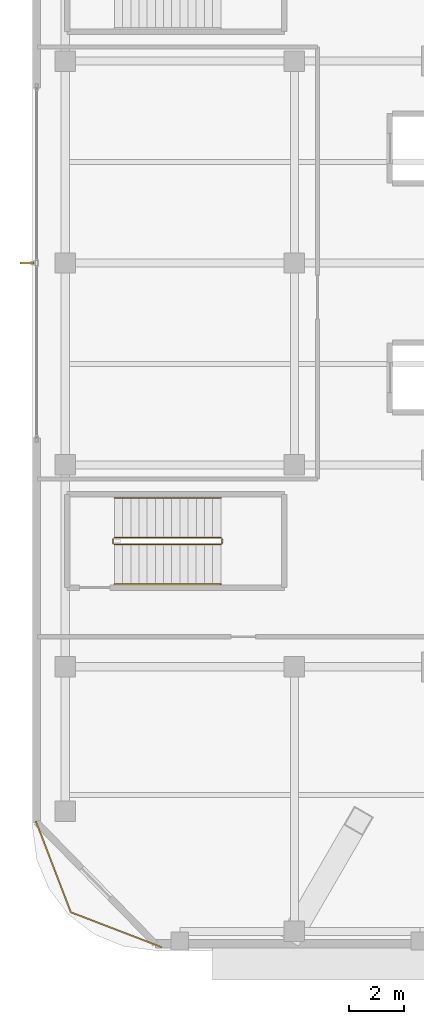
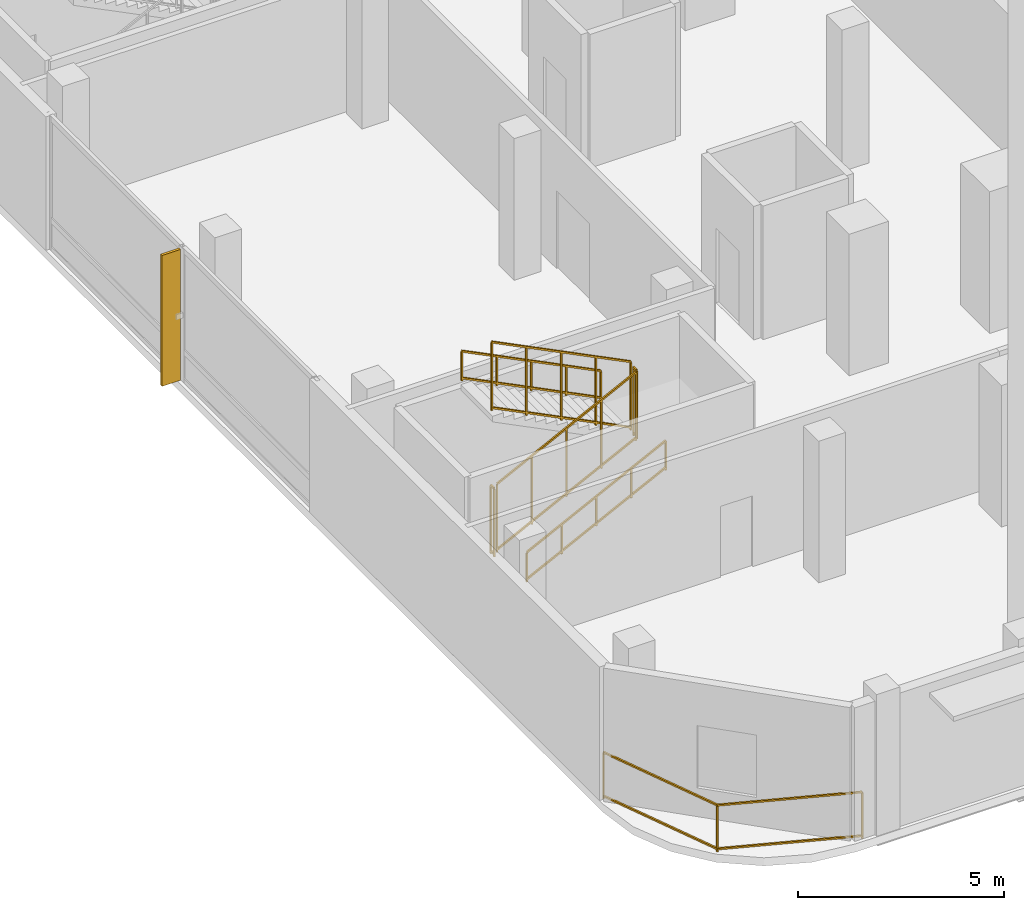
# One storey, part 13 of 19: 7 railings, 1 shading device.
"""IFC4 building model written with IfcOpenShell, lengths in metres."""

from ifc_helpers import new_model, si_unit, direction, frame, origin, origin_2d, place, context, subcontext, project, spatial, rectangle, extrude, material, layer, layer_set, type_object, element, save


model = new_model("IFC4")

# Units and contexts
model_context = context("Model", 3, precision=1e-05, world=origin(), true_north=direction((0.0, 1.0)))
body_context = subcontext(model_context, "Body", "Model", "MODEL_VIEW")
ifc_project = project(units=[si_unit("LENGTHUNIT", "METRE"), si_unit("AREAUNIT", "SQUARE_METRE"), si_unit("VOLUMEUNIT", "CUBIC_METRE"), si_unit("PLANEANGLEUNIT", "RADIAN"), si_unit("MASSUNIT", "GRAM", prefix="KILO")], contexts=[model_context])

# Site, building, storey
site_placement = place(None, origin())
site = spatial("IfcSite", under=ifc_project, at=site_placement, CompositionType="ELEMENT")
building_placement = place(site_placement, origin())
building = spatial("IfcBuilding", under=site, at=building_placement, Name="Khorvyn Point Tower", CompositionType="ELEMENT")
storey_placement = place(building_placement, frame((0.0, 0.0, 4.800048828125)))
storey = spatial("IfcBuildingStorey", under=building, at=storey_placement, Name="L02", CompositionType="ELEMENT", Elevation=4.800048828125)

# Shading device
ifc_material_1 = material(Name="Bronze anodised aluminium 6063-T6", Category="aluminium")
ifc_layer = layer(ifc_material_1, 0.074951171875)
ifc_layer_set = layer_set([ifc_layer], Name="Bronze Anodised Aluminium FIN 520x75")
shading_device_type = type_object("IfcShadingDeviceType", Name="Bronze Anodised Aluminium FIN 520x75", PredefinedType="USERDEFINED", material=ifc_layer_set)
shading_device_placement = place(storey_placement, frame((-33.800048828125, 0.0, 0.0400390625), z_axis=(0.0, 0.0, 1.0), x_axis=(-1.0, 0.0, 0.0)))
element("IfcShadingDevice", 1, at=shading_device_placement, inside=storey, type_object=shading_device_type, Name="L02 Anodised FIN 01", ObjectType="FIN", PredefinedType="USERDEFINED", context=body_context, shape_type="SweptSolid", body=[
    extrude(rectangle(XDim=0.52001953125, YDim=0.074951171875, at=origin_2d()), origin(), (0.0, 0.0, 1.0), 3.8798828125),
])

# Railings
ifc_material_2 = material(Name="Anodised aluminium 6063-T6 and laminated safety glass", Category="aluminium")
railing_type_1 = type_object("IfcRailingType", Name="Laminated Glass and Aluminium Balcony Guardrail 1400", PredefinedType="BALUSTRADE", material=ifc_material_2)
railing_1_placement = place(storey_placement, frame((-33.47412109375, -20.470703125, 0.0)))
element("IfcRailing", 2, at=railing_1_placement, inside=storey, type_object=railing_type_1, Name="L02 Rounded Corner Edge Guardrail SW", PredefinedType="BALUSTRADE", context=body_context, shape_type="SweptSolid", body=[
    extrude(rectangle(XDim=0.048095703125, YDim=0.048095703125, at=origin_2d()), frame((0.0, 0.0, 1.3759765625), z_axis=(0.35841886047, -0.933560882031, 0.0), x_axis=(0.933560882031, 0.35841886047, 0.0)), (0.0, 0.0, 1.0), 3.563232421875),
    extrude(rectangle(XDim=0.048095703125, YDim=0.048095703125, at=origin_2d()), frame((0.0, 0.0, 0.080078125), z_axis=(0.35841886047, -0.933560882031, 0.0), x_axis=(0.933560882031, 0.35841886047, 0.0)), (0.0, 0.0, 1.0), 3.563232421875),
    extrude(rectangle(XDim=0.048095703125, YDim=0.048095703125, at=origin_2d()), frame((1.277099609375, -3.326416015625, 1.3759765625), z_axis=(0.933575007025, -0.358382067435, 0.0), x_axis=(0.358382067435, 0.933575007025, 0.0)), (0.0, 0.0, 1.0), 3.562744140625),
    extrude(rectangle(XDim=0.048095703125, YDim=0.048095703125, at=origin_2d()), frame((1.277099609375, -3.326416015625, 0.080078125), z_axis=(0.933575007025, -0.358382067435, 0.0), x_axis=(0.358382067435, 0.933575007025, 0.0)), (0.0, 0.0, 1.0), 3.562744140625),
    extrude(rectangle(XDim=0.0419921875, YDim=0.0419921875, at=origin_2d()), origin(), (0.0, 0.0, 1.0), 1.351806640625),
    extrude(rectangle(XDim=0.0419921875, YDim=0.0419921875, at=origin_2d()), frame((1.277099609375, -3.326416015625, 0.0)), (0.0, 0.0, 1.0), 1.351806640625),
    extrude(rectangle(XDim=0.0419921875, YDim=0.0419921875, at=origin_2d()), frame((4.603271484375, -4.603271484375, 0.0)), (0.0, 0.0, 1.0), 1.351806640625),
])
ifc_material_3 = material(Name="Stainless steel 1.4301", Category="steel")
railing_type_2 = type_object("IfcRailingType", Name="Stainless Steel 304 Stair Pitch Handrail 900", PredefinedType="HANDRAIL", material=ifc_material_3)
railing_2_placement = place(storey_placement, frame((-30.60009765625, -11.77001953125, 0.14990234375)))
element("IfcRailing", 3, at=railing_2_placement, inside=storey, type_object=railing_type_2, Name="L02 ST-S1 stair handrail 1", PredefinedType="HANDRAIL", context=body_context, shape_type="SweptSolid", body=[
    extrude(rectangle(XDim=0.048095703125, YDim=0.048095703125, at=origin_2d()), frame((0.0, 0.0, 0.8759765625), z_axis=(0.894438388696, 0.0, 0.447191199406), x_axis=(0.0, 1.0, 0.0)), (0.0, 0.0, 1.0), 4.3603515625),
    extrude(rectangle(XDim=0.048095703125, YDim=0.048095703125, at=origin_2d()), frame((0.0, 0.0, 0.080078125), z_axis=(0.894438388696, 0.0, 0.447191199406), x_axis=(0.0, 1.0, 0.0)), (0.0, 0.0, 1.0), 4.3603515625),
    extrude(rectangle(XDim=0.0419921875, YDim=0.0419921875, at=origin_2d()), origin(), (0.0, 0.0, 1.0), 0.851806640625),
    extrude(rectangle(XDim=0.0419921875, YDim=0.0419921875, at=origin_2d()), frame((0.97509765625, 0.0, 0.487548828125)), (0.0, 0.0, 1.0), 0.851806640625),
    extrude(rectangle(XDim=0.0419921875, YDim=0.0419921875, at=origin_2d()), frame((1.9501953125, 0.0, 0.97509765625)), (0.0, 0.0, 1.0), 0.851806640625),
    extrude(rectangle(XDim=0.0419921875, YDim=0.0419921875, at=origin_2d()), frame((2.925048828125, 0.0, 1.46240234375)), (0.0, 0.0, 1.0), 0.851806640625),
    extrude(rectangle(XDim=0.0419921875, YDim=0.0419921875, at=origin_2d()), frame((3.900146484375, 0.0, 1.949951171875)), (0.0, 0.0, 1.0), 0.851806640625),
])
railing_3_placement = place(storey_placement, frame((-26.699951171875, -8.610107421875, 2.25)))
element("IfcRailing", 4, at=railing_3_placement, inside=storey, type_object=railing_type_2, Name="L02 ST-S1 stair handrail 2", PredefinedType="HANDRAIL", context=body_context, shape_type="SweptSolid", body=[
    extrude(rectangle(XDim=0.048095703125, YDim=0.048095703125, at=origin_2d()), frame((0.0, 0.0, 0.8759765625), z_axis=(-0.894438388696, 0.0, 0.447191199406), x_axis=(0.0, -1.0, 0.0)), (0.0, 0.0, 1.0), 4.3603515625),
    extrude(rectangle(XDim=0.048095703125, YDim=0.048095703125, at=origin_2d()), frame((0.0, 0.0, 0.080078125), z_axis=(-0.894438388696, 0.0, 0.447191199406), x_axis=(0.0, -1.0, 0.0)), (0.0, 0.0, 1.0), 4.3603515625),
    extrude(rectangle(XDim=0.0419921875, YDim=0.0419921875, at=origin_2d()), origin(), (0.0, 0.0, 1.0), 0.851806640625),
    extrude(rectangle(XDim=0.0419921875, YDim=0.0419921875, at=origin_2d()), frame((-0.97509765625, 0.0, 0.487548828125)), (0.0, 0.0, 1.0), 0.851806640625),
    extrude(rectangle(XDim=0.0419921875, YDim=0.0419921875, at=origin_2d()), frame((-1.9501953125, 0.0, 0.97509765625)), (0.0, 0.0, 1.0), 0.851806640625),
    extrude(rectangle(XDim=0.0419921875, YDim=0.0419921875, at=origin_2d()), frame((-2.925048828125, 0.0, 1.46240234375)), (0.0, 0.0, 1.0), 0.851806640625),
    extrude(rectangle(XDim=0.0419921875, YDim=0.0419921875, at=origin_2d()), frame((-3.900146484375, 0.0, 1.949951171875)), (0.0, 0.0, 1.0), 0.851806640625),
])
railing_type_3 = type_object("IfcRailingType", Name="Stainless Steel 304 Stair Well Guardrail 1400", PredefinedType="GUARDRAIL", material=ifc_material_3)
railing_4_placement = place(storey_placement, frame((-30.60009765625, -10.320068359375, 0.14990234375)))
element("IfcRailing", 5, at=railing_4_placement, inside=storey, type_object=railing_type_3, Name="L02 ST-S1 stair guard 1", PredefinedType="GUARDRAIL", context=body_context, shape_type="SweptSolid", body=[
    extrude(rectangle(XDim=0.048095703125, YDim=0.048095703125, at=origin_2d()), frame((0.0, 0.0, 2.02587890625), z_axis=(0.894438388696, 0.0, 0.447191199406), x_axis=(0.0, 1.0, 0.0)), (0.0, 0.0, 1.0), 4.3603515625),
    extrude(rectangle(XDim=0.048095703125, YDim=0.048095703125, at=origin_2d()), frame((0.0, 0.0, 0.080078125), z_axis=(0.894438388696, 0.0, 0.447191199406), x_axis=(0.0, 1.0, 0.0)), (0.0, 0.0, 1.0), 4.3603515625),
    extrude(rectangle(XDim=0.0419921875, YDim=0.0419921875, at=origin_2d()), origin(), (0.0, 0.0, 1.0), 2.001953125),
    extrude(rectangle(XDim=0.0419921875, YDim=0.0419921875, at=origin_2d()), frame((0.97509765625, 0.0, 0.487548828125)), (0.0, 0.0, 1.0), 2.001953125),
    extrude(rectangle(XDim=0.0419921875, YDim=0.0419921875, at=origin_2d()), frame((1.9501953125, 0.0, 0.97509765625)), (0.0, 0.0, 1.0), 2.001953125),
    extrude(rectangle(XDim=0.0419921875, YDim=0.0419921875, at=origin_2d()), frame((2.925048828125, 0.0, 1.46240234375)), (0.0, 0.0, 1.0), 2.001953125),
    extrude(rectangle(XDim=0.0419921875, YDim=0.0419921875, at=origin_2d()), frame((3.900146484375, 0.0, 1.949951171875)), (0.0, 0.0, 1.0), 2.001953125),
])
railing_5_placement = place(storey_placement, frame((-26.64990234375, -10.27001953125, 2.099853515625)))
element("IfcRailing", 6, at=railing_5_placement, inside=storey, type_object=railing_type_3, Name="L02 ST-S1 stair guard 2", PredefinedType="GUARDRAIL", context=body_context, shape_type="SweptSolid", body=[
    extrude(rectangle(XDim=0.048095703125, YDim=0.048095703125, at=origin_2d()), frame((0.0, 0.0, 2.02587890625), z_axis=(0.0, 1.0, 0.0), x_axis=(-1.0, 0.0, 0.0)), (0.0, 0.0, 1.0), 0.159912109375),
    extrude(rectangle(XDim=0.048095703125, YDim=0.048095703125, at=origin_2d()), frame((0.0, 0.0, 0.080078125), z_axis=(0.0, 1.0, 0.0), x_axis=(-1.0, 0.0, 0.0)), (0.0, 0.0, 1.0), 0.159912109375),
    extrude(rectangle(XDim=0.0419921875, YDim=0.0419921875, at=origin_2d()), origin(), (0.0, 0.0, 1.0), 2.001953125),
    extrude(rectangle(XDim=0.0419921875, YDim=0.0419921875, at=origin_2d()), frame((0.0, 0.159912109375, 0.0)), (0.0, 0.0, 1.0), 2.001953125),
])
railing_6_placement = place(storey_placement, frame((-26.699951171875, -10.06005859375, 2.25)))
element("IfcRailing", 7, at=railing_6_placement, inside=storey, type_object=railing_type_3, Name="L02 ST-S1 stair guard 3", PredefinedType="GUARDRAIL", context=body_context, shape_type="SweptSolid", body=[
    extrude(rectangle(XDim=0.048095703125, YDim=0.048095703125, at=origin_2d()), frame((0.0, 0.0, 2.02587890625), z_axis=(-0.894438388696, 0.0, 0.447191199406), x_axis=(0.0, -1.0, 0.0)), (0.0, 0.0, 1.0), 4.3603515625),
    extrude(rectangle(XDim=0.048095703125, YDim=0.048095703125, at=origin_2d()), frame((0.0, 0.0, 0.080078125), z_axis=(-0.894438388696, 0.0, 0.447191199406), x_axis=(0.0, -1.0, 0.0)), (0.0, 0.0, 1.0), 4.3603515625),
    extrude(rectangle(XDim=0.0419921875, YDim=0.0419921875, at=origin_2d()), origin(), (0.0, 0.0, 1.0), 2.001953125),
    extrude(rectangle(XDim=0.0419921875, YDim=0.0419921875, at=origin_2d()), frame((-0.97509765625, 0.0, 0.487548828125)), (0.0, 0.0, 1.0), 2.001953125),
    extrude(rectangle(XDim=0.0419921875, YDim=0.0419921875, at=origin_2d()), frame((-1.9501953125, 0.0, 0.97509765625)), (0.0, 0.0, 1.0), 2.001953125),
    extrude(rectangle(XDim=0.0419921875, YDim=0.0419921875, at=origin_2d()), frame((-2.925048828125, 0.0, 1.46240234375)), (0.0, 0.0, 1.0), 2.001953125),
    extrude(rectangle(XDim=0.0419921875, YDim=0.0419921875, at=origin_2d()), frame((-3.900146484375, 0.0, 1.949951171875)), (0.0, 0.0, 1.0), 2.001953125),
])
railing_7_placement = place(storey_placement, frame((-30.64990234375, -10.27001953125, 0.0)))
element("IfcRailing", 8, at=railing_7_placement, inside=storey, type_object=railing_type_3, Name="L02 ST-S1 stair guard 4", PredefinedType="GUARDRAIL", context=body_context, shape_type="SweptSolid", body=[
    extrude(rectangle(XDim=0.048095703125, YDim=0.048095703125, at=origin_2d()), frame((0.0, 0.0, 2.02587890625), z_axis=(0.0, 1.0, 0.0), x_axis=(-1.0, 0.0, 0.0)), (0.0, 0.0, 1.0), 0.159912109375),
    extrude(rectangle(XDim=0.048095703125, YDim=0.048095703125, at=origin_2d()), frame((0.0, 0.0, 0.080078125), z_axis=(0.0, 1.0, 0.0), x_axis=(-1.0, 0.0, 0.0)), (0.0, 0.0, 1.0), 0.159912109375),
    extrude(rectangle(XDim=0.0419921875, YDim=0.0419921875, at=origin_2d()), origin(), (0.0, 0.0, 1.0), 2.001953125),
    extrude(rectangle(XDim=0.0419921875, YDim=0.0419921875, at=origin_2d()), frame((0.0, 0.159912109375, 0.0)), (0.0, 0.0, 1.0), 2.001953125),
])

save(model, "model.ifc")
